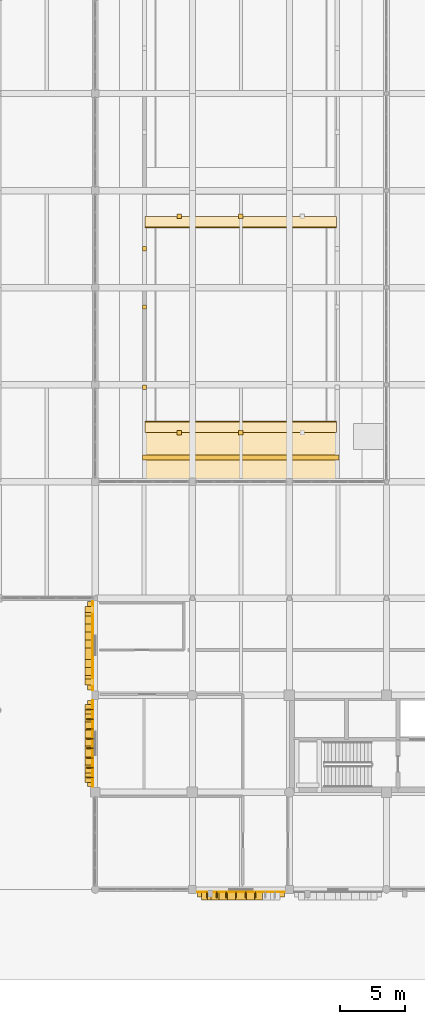
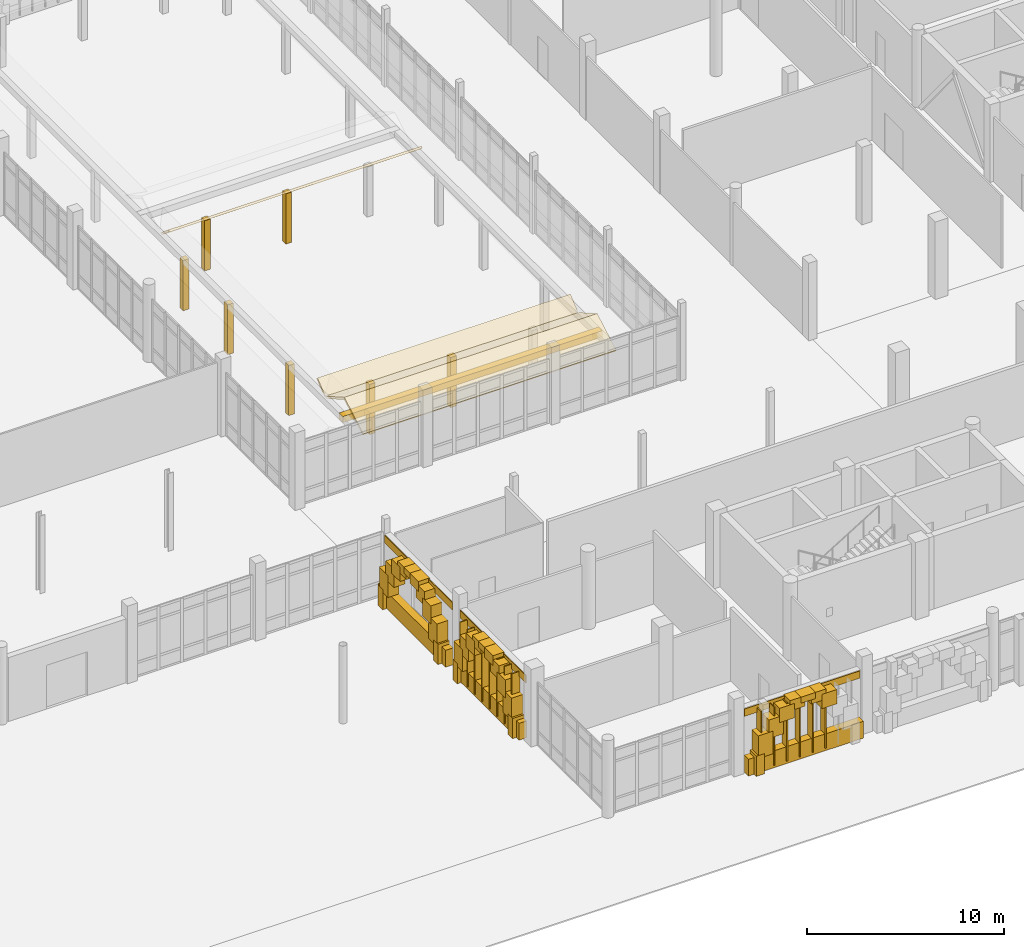
# One storey, part 107 of 125: 48 coverings, 14 shading devices.
"""IFC4 building model written with IfcOpenShell, lengths in metres."""

from ifc_helpers import new_model, si_unit, direction, frame, origin, origin_2d, place, context, subcontext, project, spatial, polyline, rectangle, outline, extrude, material, layer, layer_set, type_object, element, save


model = new_model("IFC4")

# Units and contexts
model_context = context("Model", 3, precision=1e-05, world=origin(), true_north=direction((0.0, 1.0)))
body_context = subcontext(model_context, "Body", "Model", "MODEL_VIEW")
ifc_project = project(units=[si_unit("LENGTHUNIT", "METRE"), si_unit("AREAUNIT", "SQUARE_METRE"), si_unit("VOLUMEUNIT", "CUBIC_METRE"), si_unit("PLANEANGLEUNIT", "RADIAN"), si_unit("MASSUNIT", "GRAM", prefix="KILO")], contexts=[model_context])

# Site, building, storey
site_placement = place(None, origin())
site = spatial("IfcSite", under=ifc_project, at=site_placement, CompositionType="ELEMENT")
building_placement = place(site_placement, origin())
building = spatial("IfcBuilding", under=site, at=building_placement, Name="Dalvernix Boulevard General Hospital", CompositionType="ELEMENT")
storey_placement = place(building_placement, origin())
storey = spatial("IfcBuildingStorey", under=building, at=storey_placement, Name="L00", CompositionType="ELEMENT", Elevation=0.0)

# Coverings
ifc_material_1 = material(Name="Pressed Catalan clay brick and dressed limestone parabolic archivolt", Category="masonry")
ifc_layer_1 = layer(ifc_material_1, 0.419921875)
ifc_layer_set_1 = layer_set([ifc_layer_1], Name="Pressed Catalan clay brick and dressed limestone parabolic archivolt (COV-ARC-01)")
covering_type_1 = type_object("IfcCoveringType", Name="COV-ARC-01", PredefinedType="CLADDING", material=ifc_layer_set_1)
for number, where, z_axis, x_axis, name in (
    (1, (112.014892578125, 8.47509765625, 0.0), (0.0, 0.0, 1.0), (0.0, 1.0, 0.0), "L00 Catalan parabolic arch impost pier W 15-1-L"),
    (2, (112.014892578125, 14.074951171875, 0.0), (0.0, 0.0, 1.0), (0.0, 1.0, 0.0), "L00 Catalan parabolic arch impost pier W 15-1-R"),
):
    element("IfcCovering", number, at=place(storey_placement, frame(where, z_axis=z_axis, x_axis=x_axis)), inside=storey, type_object=covering_type_1, Name=name, PredefinedType="CLADDING", context=body_context, shape_type="SweptSolid", body=[
        extrude(rectangle(XDim=0.4599609375, YDim=0.659912109375, at=origin_2d()), origin(), (0.0, 0.0, 1.0), 1.25),
    ])
covering_1_placement = place(storey_placement, frame((112.014892578125, 8.7861328125, 1.06005859375), z_axis=(0.0, 0.0, 1.0), x_axis=(0.0, 1.0, 0.0)))
element("IfcCovering", 3, at=covering_1_placement, inside=storey, type_object=covering_type_1, Name="L00 Catalan parabolic archivolt voussoir W 15-1-1", PredefinedType="CLADDING", context=body_context, shape_type="SweptSolid", body=[
    extrude(rectangle(XDim=0.8623046875, YDim=0.659912109375, at=origin_2d()), origin(), (0.0, 0.0, 1.0), 1.37939453125),
])
covering_2_placement = place(storey_placement, frame((112.014892578125, 9.408203125, 2.0595703125), z_axis=(0.0, 0.0, 1.0), x_axis=(0.0, 1.0, 0.0)))
element("IfcCovering", 4, at=covering_2_placement, inside=storey, type_object=covering_type_1, Name="L00 Catalan parabolic archivolt voussoir W 15-1-2", PredefinedType="CLADDING", context=body_context, shape_type="SweptSolid", body=[
    extrude(rectangle(XDim=0.8623046875, YDim=0.659912109375, at=origin_2d()), origin(), (0.0, 0.0, 1.0), 1.129638671875),
])
covering_3_placement = place(storey_placement, frame((112.014892578125, 10.030517578125, 2.80908203125), z_axis=(0.0, 0.0, 1.0), x_axis=(0.0, 1.0, 0.0)))
element("IfcCovering", 5, at=covering_3_placement, inside=storey, type_object=covering_type_1, Name="L00 Catalan parabolic archivolt voussoir W 15-1-3", PredefinedType="CLADDING", context=body_context, shape_type="SweptSolid", body=[
    extrude(rectangle(XDim=0.8623046875, YDim=0.659912109375, at=origin_2d()), origin(), (0.0, 0.0, 1.0), 0.8798828125),
])
covering_4_placement = place(storey_placement, frame((112.014892578125, 10.65283203125, 3.308837890625), z_axis=(0.0, 0.0, 1.0), x_axis=(0.0, 1.0, 0.0)))
element("IfcCovering", 6, at=covering_4_placement, inside=storey, type_object=covering_type_1, Name="L00 Catalan parabolic archivolt voussoir W 15-1-4", PredefinedType="CLADDING", context=body_context, shape_type="SweptSolid", body=[
    extrude(rectangle(XDim=0.8623046875, YDim=0.659912109375, at=origin_2d()), origin(), (0.0, 0.0, 1.0), 0.6298828125),
])
covering_5_placement = place(storey_placement, frame((112.014892578125, 11.27490234375, 3.558837890625), z_axis=(0.0, 0.0, 1.0), x_axis=(0.0, 1.0, 0.0)))
element("IfcCovering", 7, at=covering_5_placement, inside=storey, type_object=covering_type_1, Name="L00 Catalan parabolic archivolt voussoir W 15-1-5", PredefinedType="CLADDING", context=body_context, shape_type="SweptSolid", body=[
    extrude(rectangle(XDim=0.8623046875, YDim=0.659912109375, at=origin_2d()), origin(), (0.0, 0.0, 1.0), 0.3798828125),
])
covering_6_placement = place(storey_placement, frame((112.014892578125, 11.897216796875, 3.308837890625), z_axis=(0.0, 0.0, 1.0), x_axis=(0.0, 1.0, 0.0)))
element("IfcCovering", 8, at=covering_6_placement, inside=storey, type_object=covering_type_1, Name="L00 Catalan parabolic archivolt voussoir W 15-1-6", PredefinedType="CLADDING", context=body_context, shape_type="SweptSolid", body=[
    extrude(rectangle(XDim=0.8623046875, YDim=0.659912109375, at=origin_2d()), origin(), (0.0, 0.0, 1.0), 0.6298828125),
])
covering_7_placement = place(storey_placement, frame((112.014892578125, 12.519287109375, 2.80908203125), z_axis=(0.0, 0.0, 1.0), x_axis=(0.0, 1.0, 0.0)))
element("IfcCovering", 9, at=covering_7_placement, inside=storey, type_object=covering_type_1, Name="L00 Catalan parabolic archivolt voussoir W 15-1-7", PredefinedType="CLADDING", context=body_context, shape_type="SweptSolid", body=[
    extrude(rectangle(XDim=0.8623046875, YDim=0.659912109375, at=origin_2d()), origin(), (0.0, 0.0, 1.0), 0.8798828125),
])
covering_8_placement = place(storey_placement, frame((112.014892578125, 13.1416015625, 2.0595703125), z_axis=(0.0, 0.0, 1.0), x_axis=(0.0, 1.0, 0.0)))
element("IfcCovering", 10, at=covering_8_placement, inside=storey, type_object=covering_type_1, Name="L00 Catalan parabolic archivolt voussoir W 15-1-8", PredefinedType="CLADDING", context=body_context, shape_type="SweptSolid", body=[
    extrude(rectangle(XDim=0.8623046875, YDim=0.659912109375, at=origin_2d()), origin(), (0.0, 0.0, 1.0), 1.129638671875),
])
covering_9_placement = place(storey_placement, frame((112.014892578125, 13.763916015625, 1.06005859375), z_axis=(0.0, 0.0, 1.0), x_axis=(0.0, 1.0, 0.0)))
element("IfcCovering", 11, at=covering_9_placement, inside=storey, type_object=covering_type_1, Name="L00 Catalan parabolic archivolt voussoir W 15-1-9", PredefinedType="CLADDING", context=body_context, shape_type="SweptSolid", body=[
    extrude(rectangle(XDim=0.8623046875, YDim=0.659912109375, at=origin_2d()), origin(), (0.0, 0.0, 1.0), 1.37939453125),
])
for number, where, z_axis, x_axis, name in (
    (12, (112.014892578125, 16.032470703125, 0.0), (0.0, 0.0, 1.0), (0.0, 1.0, 0.0), "L00 Catalan parabolic arch impost pier W 15-2-L"),
    (13, (112.014892578125, 21.632568359375, 0.0), (0.0, 0.0, 1.0), (0.0, 1.0, 0.0), "L00 Catalan parabolic arch impost pier W 15-2-R"),
):
    element("IfcCovering", number, at=place(storey_placement, frame(where, z_axis=z_axis, x_axis=x_axis)), inside=storey, type_object=covering_type_1, Name=name, PredefinedType="CLADDING", context=body_context, shape_type="SweptSolid", body=[
        extrude(rectangle(XDim=0.4599609375, YDim=0.659912109375, at=origin_2d()), origin(), (0.0, 0.0, 1.0), 1.25),
    ])
covering_10_placement = place(storey_placement, frame((112.014892578125, 16.343505859375, 1.06005859375), z_axis=(0.0, 0.0, 1.0), x_axis=(0.0, 1.0, 0.0)))
element("IfcCovering", 14, at=covering_10_placement, inside=storey, type_object=covering_type_1, Name="L00 Catalan parabolic archivolt voussoir W 15-2-1", PredefinedType="CLADDING", context=body_context, shape_type="SweptSolid", body=[
    extrude(rectangle(XDim=0.8623046875, YDim=0.659912109375, at=origin_2d()), origin(), (0.0, 0.0, 1.0), 1.37939453125),
])
covering_11_placement = place(storey_placement, frame((112.014892578125, 16.9658203125, 2.0595703125), z_axis=(0.0, 0.0, 1.0), x_axis=(0.0, 1.0, 0.0)))
element("IfcCovering", 15, at=covering_11_placement, inside=storey, type_object=covering_type_1, Name="L00 Catalan parabolic archivolt voussoir W 15-2-2", PredefinedType="CLADDING", context=body_context, shape_type="SweptSolid", body=[
    extrude(rectangle(XDim=0.8623046875, YDim=0.659912109375, at=origin_2d()), origin(), (0.0, 0.0, 1.0), 1.129638671875),
])
covering_12_placement = place(storey_placement, frame((112.014892578125, 17.588134765625, 2.80908203125), z_axis=(0.0, 0.0, 1.0), x_axis=(0.0, 1.0, 0.0)))
element("IfcCovering", 16, at=covering_12_placement, inside=storey, type_object=covering_type_1, Name="L00 Catalan parabolic archivolt voussoir W 15-2-3", PredefinedType="CLADDING", context=body_context, shape_type="SweptSolid", body=[
    extrude(rectangle(XDim=0.8623046875, YDim=0.659912109375, at=origin_2d()), origin(), (0.0, 0.0, 1.0), 0.8798828125),
])
covering_13_placement = place(storey_placement, frame((112.014892578125, 18.210205078125, 3.308837890625), z_axis=(0.0, 0.0, 1.0), x_axis=(0.0, 1.0, 0.0)))
element("IfcCovering", 17, at=covering_13_placement, inside=storey, type_object=covering_type_1, Name="L00 Catalan parabolic archivolt voussoir W 15-2-4", PredefinedType="CLADDING", context=body_context, shape_type="SweptSolid", body=[
    extrude(rectangle(XDim=0.8623046875, YDim=0.659912109375, at=origin_2d()), origin(), (0.0, 0.0, 1.0), 0.6298828125),
])
covering_14_placement = place(storey_placement, frame((112.014892578125, 18.83251953125, 3.558837890625), z_axis=(0.0, 0.0, 1.0), x_axis=(0.0, 1.0, 0.0)))
element("IfcCovering", 18, at=covering_14_placement, inside=storey, type_object=covering_type_1, Name="L00 Catalan parabolic archivolt voussoir W 15-2-5", PredefinedType="CLADDING", context=body_context, shape_type="SweptSolid", body=[
    extrude(rectangle(XDim=0.8623046875, YDim=0.659912109375, at=origin_2d()), origin(), (0.0, 0.0, 1.0), 0.3798828125),
])
covering_15_placement = place(storey_placement, frame((112.014892578125, 19.45458984375, 3.308837890625), z_axis=(0.0, 0.0, 1.0), x_axis=(0.0, 1.0, 0.0)))
element("IfcCovering", 19, at=covering_15_placement, inside=storey, type_object=covering_type_1, Name="L00 Catalan parabolic archivolt voussoir W 15-2-6", PredefinedType="CLADDING", context=body_context, shape_type="SweptSolid", body=[
    extrude(rectangle(XDim=0.8623046875, YDim=0.659912109375, at=origin_2d()), origin(), (0.0, 0.0, 1.0), 0.6298828125),
])
covering_16_placement = place(storey_placement, frame((112.014892578125, 20.076904296875, 2.80908203125), z_axis=(0.0, 0.0, 1.0), x_axis=(0.0, 1.0, 0.0)))
element("IfcCovering", 20, at=covering_16_placement, inside=storey, type_object=covering_type_1, Name="L00 Catalan parabolic archivolt voussoir W 15-2-7", PredefinedType="CLADDING", context=body_context, shape_type="SweptSolid", body=[
    extrude(rectangle(XDim=0.8623046875, YDim=0.659912109375, at=origin_2d()), origin(), (0.0, 0.0, 1.0), 0.8798828125),
])
covering_17_placement = place(storey_placement, frame((112.014892578125, 20.69921875, 2.0595703125), z_axis=(0.0, 0.0, 1.0), x_axis=(0.0, 1.0, 0.0)))
element("IfcCovering", 21, at=covering_17_placement, inside=storey, type_object=covering_type_1, Name="L00 Catalan parabolic archivolt voussoir W 15-2-8", PredefinedType="CLADDING", context=body_context, shape_type="SweptSolid", body=[
    extrude(rectangle(XDim=0.8623046875, YDim=0.659912109375, at=origin_2d()), origin(), (0.0, 0.0, 1.0), 1.129638671875),
])
covering_18_placement = place(storey_placement, frame((112.014892578125, 21.3212890625, 1.06005859375), z_axis=(0.0, 0.0, 1.0), x_axis=(0.0, 1.0, 0.0)))
element("IfcCovering", 22, at=covering_18_placement, inside=storey, type_object=covering_type_1, Name="L00 Catalan parabolic archivolt voussoir W 15-2-9", PredefinedType="CLADDING", context=body_context, shape_type="SweptSolid", body=[
    extrude(rectangle(XDim=0.8623046875, YDim=0.659912109375, at=origin_2d()), origin(), (0.0, 0.0, 1.0), 1.37939453125),
])
covering_19_placement = place(storey_placement, frame((120.949951171875, -0.485107421875, 0.0), z_axis=(0.0, 0.0, 1.0), x_axis=(-1.0, 0.0, 0.0)))
element("IfcCovering", 23, at=covering_19_placement, inside=storey, type_object=covering_type_1, Name="L00 Catalan parabolic arch impost pier S 16-0-R", PredefinedType="CLADDING", context=body_context, shape_type="SweptSolid", body=[
    extrude(rectangle(XDim=0.4599609375, YDim=0.659912109375, at=origin_2d()), origin(), (0.0, 0.0, 1.0), 1.25),
])
covering_20_placement = place(storey_placement, frame((124.994384765625, -0.485107421875, 2.84375), z_axis=(0.0, 0.0, 1.0), x_axis=(-1.0, 0.0, 0.0)))
element("IfcCovering", 24, at=covering_20_placement, inside=storey, type_object=covering_type_1, Name="L00 Catalan parabolic archivolt voussoir S 16-0-3", PredefinedType="CLADDING", context=body_context, shape_type="SweptSolid", body=[
    extrude(rectangle(XDim=0.8623046875, YDim=0.659912109375, at=origin_2d()), origin(), (0.0, 0.0, 1.0), 0.8896484375),
])
covering_21_placement = place(storey_placement, frame((124.372314453125, -0.485107421875, 3.353271484375), z_axis=(0.0, 0.0, 1.0), x_axis=(-1.0, 0.0, 0.0)))
element("IfcCovering", 25, at=covering_21_placement, inside=storey, type_object=covering_type_1, Name="L00 Catalan parabolic archivolt voussoir S 16-0-4", PredefinedType="CLADDING", context=body_context, shape_type="SweptSolid", body=[
    extrude(rectangle(XDim=0.8623046875, YDim=0.659912109375, at=origin_2d()), origin(), (0.0, 0.0, 1.0), 0.634765625),
])
covering_22_placement = place(storey_placement, frame((123.75, -0.485107421875, 3.608154296875), z_axis=(0.0, 0.0, 1.0), x_axis=(-1.0, 0.0, 0.0)))
element("IfcCovering", 26, at=covering_22_placement, inside=storey, type_object=covering_type_1, Name="L00 Catalan parabolic archivolt voussoir S 16-0-5", PredefinedType="CLADDING", context=body_context, shape_type="SweptSolid", body=[
    extrude(rectangle(XDim=0.8623046875, YDim=0.659912109375, at=origin_2d()), origin(), (0.0, 0.0, 1.0), 0.3798828125),
])
covering_23_placement = place(storey_placement, frame((123.127685546875, -0.485107421875, 3.353271484375), z_axis=(0.0, 0.0, 1.0), x_axis=(-1.0, 0.0, 0.0)))
element("IfcCovering", 27, at=covering_23_placement, inside=storey, type_object=covering_type_1, Name="L00 Catalan parabolic archivolt voussoir S 16-0-6", PredefinedType="CLADDING", context=body_context, shape_type="SweptSolid", body=[
    extrude(rectangle(XDim=0.8623046875, YDim=0.659912109375, at=origin_2d()), origin(), (0.0, 0.0, 1.0), 0.634765625),
])
covering_24_placement = place(storey_placement, frame((122.505615234375, -0.485107421875, 2.84375), z_axis=(0.0, 0.0, 1.0), x_axis=(-1.0, 0.0, 0.0)))
element("IfcCovering", 28, at=covering_24_placement, inside=storey, type_object=covering_type_1, Name="L00 Catalan parabolic archivolt voussoir S 16-0-7", PredefinedType="CLADDING", context=body_context, shape_type="SweptSolid", body=[
    extrude(rectangle(XDim=0.8623046875, YDim=0.659912109375, at=origin_2d()), origin(), (0.0, 0.0, 1.0), 0.8896484375),
])
covering_25_placement = place(storey_placement, frame((121.88330078125, -0.485107421875, 2.07958984375), z_axis=(0.0, 0.0, 1.0), x_axis=(-1.0, 0.0, 0.0)))
element("IfcCovering", 29, at=covering_25_placement, inside=storey, type_object=covering_type_1, Name="L00 Catalan parabolic archivolt voussoir S 16-0-8", PredefinedType="CLADDING", context=body_context, shape_type="SweptSolid", body=[
    extrude(rectangle(XDim=0.8623046875, YDim=0.659912109375, at=origin_2d()), origin(), (0.0, 0.0, 1.0), 1.144287109375),
])
covering_26_placement = place(storey_placement, frame((121.260986328125, -0.485107421875, 1.059814453125), z_axis=(0.0, 0.0, 1.0), x_axis=(-1.0, 0.0, 0.0)))
element("IfcCovering", 30, at=covering_26_placement, inside=storey, type_object=covering_type_1, Name="L00 Catalan parabolic archivolt voussoir S 16-0-9", PredefinedType="CLADDING", context=body_context, shape_type="SweptSolid", body=[
    extrude(rectangle(XDim=0.8623046875, YDim=0.659912109375, at=origin_2d()), origin(), (0.0, 0.0, 1.0), 1.3994140625),
])
ifc_material_2 = material(Name="Polychrome Catalan glazed ceramic spandrel tile panel")
ifc_layer_2 = layer(ifc_material_2, 0.044921875)
ifc_layer_set_2 = layer_set([ifc_layer_2], Name="Polychrome Catalan glazed ceramic spandrel tile panel (COV-CLD-01)")
covering_type_2 = type_object("IfcCoveringType", Name="COV-CLD-01", PredefinedType="CLADDING", material=ifc_layer_set_2)
covering_27_placement = place(storey_placement, frame((112.304931640625, 11.27490234375, 3.4248046875), z_axis=(0.0, 0.0, 1.0), x_axis=(0.0, 1.0, 0.0)))
element("IfcCovering", 31, at=covering_27_placement, inside=storey, type_object=covering_type_2, Name="L00 polychrome ceramic spandrel W 15-1", PredefinedType="CLADDING", context=body_context, shape_type="SweptSolid", body=[
    extrude(rectangle(XDim=6.679931640625, YDim=0.044921875, at=origin_2d()), origin(), (0.0, 0.0, 1.0), 0.449951171875),
])
covering_28_placement = place(storey_placement, frame((112.304931640625, 18.83251953125, 3.4248046875), z_axis=(0.0, 0.0, 1.0), x_axis=(0.0, 1.0, 0.0)))
element("IfcCovering", 32, at=covering_28_placement, inside=storey, type_object=covering_type_2, Name="L00 polychrome ceramic spandrel W 15-2", PredefinedType="CLADDING", context=body_context, shape_type="SweptSolid", body=[
    extrude(rectangle(XDim=6.89501953125, YDim=0.044921875, at=origin_2d()), origin(), (0.0, 0.0, 1.0), 0.449951171875),
])
covering_29_placement = place(storey_placement, frame((123.75, -0.195068359375, 3.47509765625), z_axis=(0.0, 0.0, 1.0), x_axis=(-1.0, 0.0, 0.0)))
element("IfcCovering", 33, at=covering_29_placement, inside=storey, type_object=covering_type_2, Name="L00 polychrome ceramic spandrel S 16-0", PredefinedType="CLADDING", context=body_context, shape_type="SweptSolid", body=[
    extrude(rectangle(XDim=6.780029296875, YDim=0.044921875, at=origin_2d()), origin(), (0.0, 0.0, 1.0), 0.449951171875),
])
ifc_material_3 = material(Name="Dressed ochre limestone classical plinth, stringcourse and corbelled cornice", Category="masonry")
ifc_layer_3 = layer(ifc_material_3, 0.449951171875)
ifc_layer_set_3 = layer_set([ifc_layer_3], Name="Dressed ochre limestone classical plinth, stringcourse and corbelled cornice (COV-CRN-01)")
covering_type_3 = type_object("IfcCoveringType", Name="COV-CRN-01", PredefinedType="CLADDING", material=ifc_layer_set_3)
covering_30_placement = place(storey_placement, frame((112.125, 11.27490234375, 0.0), z_axis=(0.0, 0.0, 1.0), x_axis=(0.0, 1.0, 0.0)))
element("IfcCovering", 34, at=covering_30_placement, inside=storey, type_object=covering_type_3, Name="L00 rusticated limestone classical plinth W 15-1", PredefinedType="CLADDING", context=body_context, shape_type="SweptSolid", body=[
    extrude(rectangle(XDim=6.6201171875, YDim=0.43994140625, at=origin_2d()), origin(), (0.0, 0.0, 1.0), 1.0400390625),
])
covering_31_placement = place(storey_placement, frame((112.125, 18.83251953125, 0.0), z_axis=(0.0, 0.0, 1.0), x_axis=(0.0, 1.0, 0.0)))
element("IfcCovering", 35, at=covering_31_placement, inside=storey, type_object=covering_type_3, Name="L00 rusticated limestone classical plinth W 15-2", PredefinedType="CLADDING", context=body_context, shape_type="SweptSolid", body=[
    extrude(rectangle(XDim=6.8349609375, YDim=0.43994140625, at=origin_2d()), origin(), (0.0, 0.0, 1.0), 1.0400390625),
])
covering_32_placement = place(storey_placement, frame((123.75, -0.375, 0.0), z_axis=(0.0, 0.0, 1.0), x_axis=(-1.0, 0.0, 0.0)))
element("IfcCovering", 36, at=covering_32_placement, inside=storey, type_object=covering_type_3, Name="L00 rusticated limestone classical plinth S 16-0", PredefinedType="CLADDING", context=body_context, shape_type="SweptSolid", body=[
    extrude(rectangle(XDim=6.719970703125, YDim=0.43994140625, at=origin_2d()), origin(), (0.0, 0.0, 1.0), 1.0400390625),
])
ifc_material_4 = material(Name="Preservative-treated glulam GL28h cloister walkway post, beam and roof", Category="wood")
ifc_layer_4 = layer(ifc_material_4, 0.340087890625)
ifc_layer_set_4 = layer_set([ifc_layer_4], Name="Preservative-treated glulam GL28h cloister walkway post, beam and roof (COV-WKP-01)")
covering_type_4 = type_object("IfcCoveringType", Name="COV-WKP-01", PredefinedType="CLADDING", material=ifc_layer_set_4)
for number, where, z_axis, x_axis, name in (
    (37, (116.300048828125, 38.800048828125, 0.0), (0.0, 0.0, 1.0), (1.0, 0.0, 0.0), "ECOURT covered timber walkway post W-1"),
    (38, (116.300048828125, 45.0, 0.0), (0.0, 0.0, 1.0), (1.0, 0.0, 0.0), "ECOURT covered timber walkway post W-2"),
    (39, (116.300048828125, 49.5, 0.0), (0.0, 0.0, 1.0), (1.0, 0.0, 0.0), "ECOURT covered timber walkway post W-3"),
):
    element("IfcCovering", number, at=place(storey_placement, frame(where, z_axis=z_axis, x_axis=x_axis)), inside=storey, type_object=covering_type_4, Name=name, PredefinedType="CLADDING", context=body_context, shape_type="SweptSolid", body=[
        extrude(rectangle(XDim=0.340087890625, YDim=0.340087890625, at=origin_2d()), origin(), (0.0, 0.0, 1.0), 3.10009765625),
    ])
covering_33_placement = place(storey_placement, frame((123.75, 33.375, 2.860107421875), z_axis=(0.0, 0.0, 1.0), x_axis=(1.0, 0.0, 0.0)))
element("IfcCovering", 40, at=covering_33_placement, inside=storey, type_object=covering_type_4, Name="ECOURT covered timber walkway ridge beam S", PredefinedType="CLADDING", context=body_context, shape_type="SweptSolid", body=[
    extrude(rectangle(XDim=15.199951171875, YDim=0.3798828125, at=origin_2d()), origin(), (0.0, 0.0, 1.0), 0.3798828125),
])
for number, where, z_axis, x_axis, name in (
    (41, (119.0, 35.300048828125, 0.0), (0.0, 0.0, 1.0), (1.0, 0.0, 0.0), "ECOURT covered timber walkway post S-1"),
    (42, (123.75, 35.300048828125, 0.0), (0.0, 0.0, 1.0), (1.0, 0.0, 0.0), "ECOURT covered timber walkway post S-2"),
):
    element("IfcCovering", number, at=place(storey_placement, frame(where, z_axis=z_axis, x_axis=x_axis)), inside=storey, type_object=covering_type_4, Name=name, PredefinedType="CLADDING", context=body_context, shape_type="SweptSolid", body=[
        extrude(rectangle(XDim=0.340087890625, YDim=0.340087890625, at=origin_2d()), origin(), (0.0, 0.0, 1.0), 3.10009765625),
    ])
for number, where, z_axis, x_axis, name in (
    (43, (116.35009765625, 31.449951171875, 3.14990234375), (0.0, -0.496162654506, 0.86822958961), (1.0, 0.0, 0.0), "ECOURT covered timber walkway pitched roof S-1"),
    (44, (116.35009765625, 33.375, 4.25), (0.0, 0.496162654506, 0.86822958961), (1.0, 0.0, 0.0), "ECOURT covered timber walkway pitched roof S-2"),
):
    element("IfcCovering", number, at=place(storey_placement, frame(where, z_axis=z_axis, x_axis=x_axis)), inside=storey, type_object=covering_type_4, Name=name, PredefinedType="CLADDING", context=body_context, shape_type="SweptSolid", body=[
        extrude(outline(polyline([(0.0, 0.0), (14.7998046875, 0.0), (14.7998046875, 2.217211727362134), (0.0, 2.217211727362134), (0.0, 0.0)])), origin(), (0.0, 0.0, -1.0), 0.1298828125),
    ])
covering_34_placement = place(storey_placement, frame((116.35009765625, 35.300048828125, 3.14990234375), z_axis=(0.0, -0.630655032425, 0.776063289995), x_axis=(1.0, 0.0, 0.0)))
element("IfcCovering", 45, at=covering_34_placement, inside=storey, type_object=covering_type_4, Name="ECOURT covered timber walkway pitched roof S-3", PredefinedType="CLADDING", context=body_context, shape_type="SweptSolid", body=[
    extrude(outline(polyline([(0.0, 0.0), (14.7998046875, 0.0), (14.7998046875, 1.0309066778954135), (0.0, 1.0309066778954135), (0.0, 0.0)])), origin(), (0.0, 0.0, -1.0), 0.1298828125),
])
for number, where, z_axis, x_axis, name in (
    (46, (119.0, 52.0, 0.0), (0.0, 0.0, 1.0), (1.0, 0.0, 0.0), "ECOURT covered timber walkway post MID-1"),
    (47, (123.75, 52.0, 0.0), (0.0, 0.0, 1.0), (1.0, 0.0, 0.0), "ECOURT covered timber walkway post MID-2"),
):
    element("IfcCovering", number, at=place(storey_placement, frame(where, z_axis=z_axis, x_axis=x_axis)), inside=storey, type_object=covering_type_4, Name=name, PredefinedType="CLADDING", context=body_context, shape_type="SweptSolid", body=[
        extrude(rectangle(XDim=0.340087890625, YDim=0.340087890625, at=origin_2d()), origin(), (0.0, 0.0, 1.0), 3.10009765625),
    ])
covering_35_placement = place(storey_placement, frame((116.35009765625, 52.0, 3.14990234375), z_axis=(0.0, 0.630655032425, 0.776063289995), x_axis=(1.0, 0.0, 0.0)))
element("IfcCovering", 48, at=covering_35_placement, inside=storey, type_object=covering_type_4, Name="ECOURT covered timber walkway pitched roof MID-3", PredefinedType="CLADDING", context=body_context, shape_type="SweptSolid", body=[
    extrude(outline(polyline([(0.0, 0.0), (14.7998046875, 0.0), (14.7998046875, -1.0309066778954135), (0.0, -1.0309066778954135), (0.0, 0.0)])), origin(), (0.0, 0.0, -1.0), 0.1298828125),
])

# Shading devices
ifc_material_5 = material(Name="Preservative-treated West African iroko timber", Category="wood")
shading_device_type = type_object("IfcShadingDeviceType", Name="SHD-FIN-01", PredefinedType="USERDEFINED", material=ifc_material_5)
for number, where, z_axis, x_axis, name in (
    (49, (112.094970703125, 8.64990234375, 0.1748046875), (0.0, 0.0, 1.0), (0.0, 1.0, 0.0), "L00 iroko brise-soleil fin 1"),
    (50, (112.094970703125, 9.39990234375, 0.1748046875), (0.0, 0.0, 1.0), (0.0, 1.0, 0.0), "L00 iroko brise-soleil fin 2"),
    (51, (112.094970703125, 10.14990234375, 0.1748046875), (0.0, 0.0, 1.0), (0.0, 1.0, 0.0), "L00 iroko brise-soleil fin 3"),
    (52, (112.094970703125, 10.89990234375, 0.1748046875), (0.0, 0.0, 1.0), (0.0, 1.0, 0.0), "L00 iroko brise-soleil fin 4"),
    (53, (112.094970703125, 11.64990234375, 0.1748046875), (0.0, 0.0, 1.0), (0.0, 1.0, 0.0), "L00 iroko brise-soleil fin 5"),
    (54, (112.094970703125, 12.39990234375, 0.1748046875), (0.0, 0.0, 1.0), (0.0, 1.0, 0.0), "L00 iroko brise-soleil fin 6"),
    (55, (112.094970703125, 13.14990234375, 0.1748046875), (0.0, 0.0, 1.0), (0.0, 1.0, 0.0), "L00 iroko brise-soleil fin 7"),
    (56, (112.094970703125, 13.89990234375, 0.1748046875), (0.0, 0.0, 1.0), (0.0, 1.0, 0.0), "L00 iroko brise-soleil fin 8"),
):
    element("IfcShadingDevice", number, at=place(storey_placement, frame(where, z_axis=z_axis, x_axis=x_axis)), inside=storey, type_object=shading_device_type, Name=name, ObjectType="FIN", PredefinedType="USERDEFINED", context=body_context, shape_type="SweptSolid", body=[
        extrude(rectangle(XDim=0.06494140625, YDim=0.47998046875, at=origin_2d()), origin(), (0.0, 0.0, 1.0), 3.550048828125),
    ])
for number, where, z_axis, x_axis, name in (
    (57, (124.875, -0.405029296875, 0.175048828125), (0.0, 0.0, 1.0), (-1.0, 0.0, 0.0), "L00 iroko brise-soleil fin 3"),
    (58, (124.125, -0.405029296875, 0.175048828125), (0.0, 0.0, 1.0), (-1.0, 0.0, 0.0), "L00 iroko brise-soleil fin 4"),
    (59, (123.375, -0.405029296875, 0.175048828125), (0.0, 0.0, 1.0), (-1.0, 0.0, 0.0), "L00 iroko brise-soleil fin 5"),
    (60, (122.625, -0.405029296875, 0.175048828125), (0.0, 0.0, 1.0), (-1.0, 0.0, 0.0), "L00 iroko brise-soleil fin 6"),
    (61, (121.875, -0.405029296875, 0.175048828125), (0.0, 0.0, 1.0), (-1.0, 0.0, 0.0), "L00 iroko brise-soleil fin 7"),
    (62, (121.125, -0.405029296875, 0.175048828125), (0.0, 0.0, 1.0), (-1.0, 0.0, 0.0), "L00 iroko brise-soleil fin 8"),
):
    element("IfcShadingDevice", number, at=place(storey_placement, frame(where, z_axis=z_axis, x_axis=x_axis)), inside=storey, type_object=shading_device_type, Name=name, ObjectType="FIN", PredefinedType="USERDEFINED", context=body_context, shape_type="SweptSolid", body=[
        extrude(rectangle(XDim=0.06494140625, YDim=0.47998046875, at=origin_2d()), origin(), (0.0, 0.0, 1.0), 3.60009765625),
    ])

save(model, "model.ifc")
